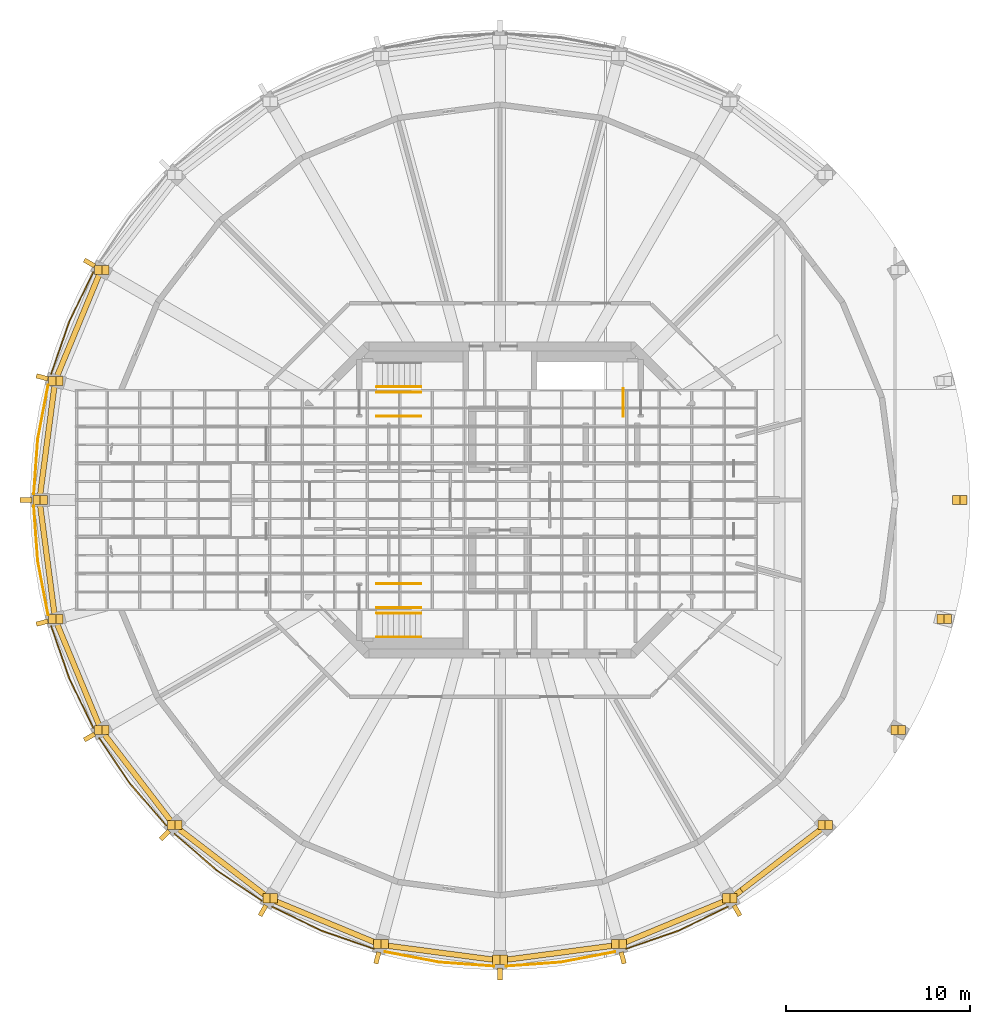
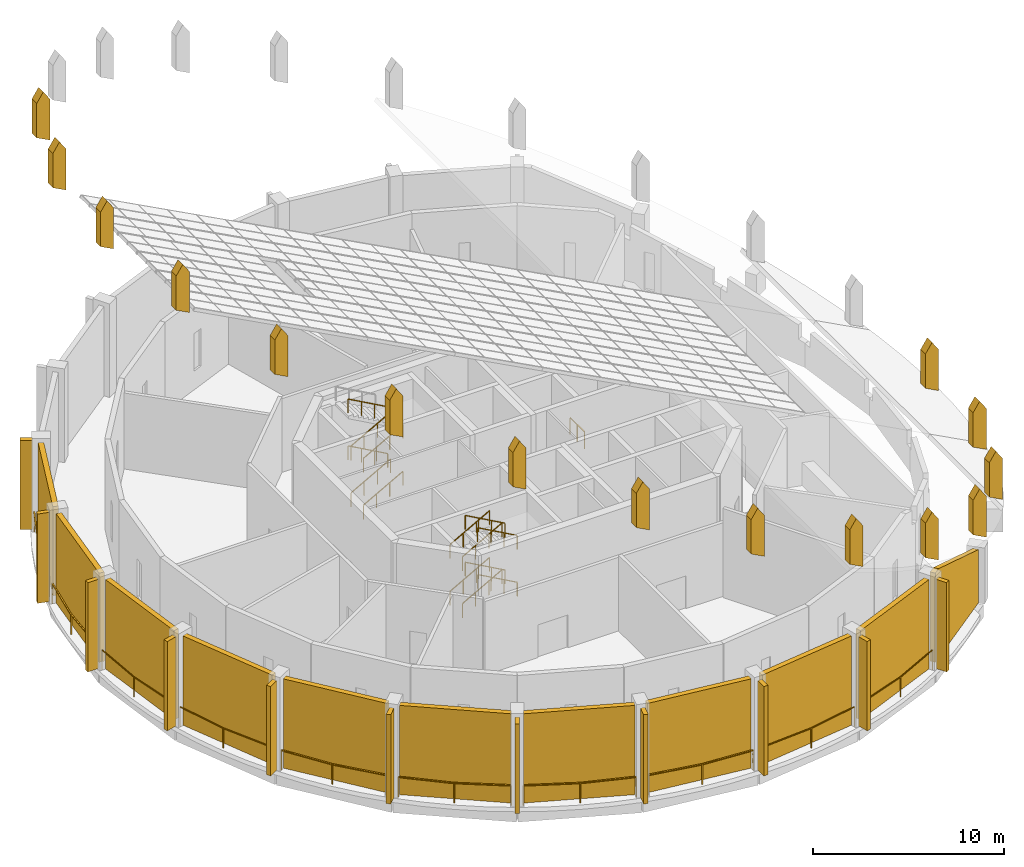
# One storey, part 18 of 19: 26 coverings, 25 railings, 11 shading devices.
"""IFC4 building model written with IfcOpenShell, lengths in metres."""

from ifc_helpers import new_model, si_unit, direction, frame, origin, origin_2d, place, context, subcontext, project, spatial, polyline, rectangle, outline, extrude, material, material_profile, profile_set, type_object, element, save


model = new_model("IFC4")

# Units and contexts
model_context = context("Model", 3, precision=1e-05, world=origin(), true_north=direction((0.0, 1.0)))
body_context = subcontext(model_context, "Body", "Model", "MODEL_VIEW")
ifc_project = project(units=[si_unit("LENGTHUNIT", "METRE"), si_unit("AREAUNIT", "SQUARE_METRE"), si_unit("VOLUMEUNIT", "CUBIC_METRE"), si_unit("PLANEANGLEUNIT", "RADIAN"), si_unit("MASSUNIT", "GRAM", prefix="KILO")], contexts=[model_context])

# Site, building, storey
site_placement = place(None, origin())
site = spatial("IfcSite", under=ifc_project, at=site_placement, CompositionType="ELEMENT")
building_placement = place(site_placement, origin())
building = spatial("IfcBuilding", under=site, at=building_placement, Name="Torre Triforio", CompositionType="ELEMENT")
storey_placement = place(building_placement, frame((0.0, 0.0, 290.800048828125)))
storey = spatial("IfcBuildingStorey", under=building, at=storey_placement, Name="RF-1", CompositionType="ELEMENT", Elevation=290.800048828125)

# Railings
ifc_material_1 = material(Name="Stainless steel AISI 316", Category="steel")
railing_type_1 = type_object("IfcRailingType", Name="GUARD 1100", PredefinedType="GUARDRAIL", material=ifc_material_1)
railing_1_placement = place(storey_placement, frame((6.699951171875, 4.550048828125, 0.0)))
element("IfcRailing", 1, at=railing_1_placement, inside=storey, type_object=railing_type_1, Name="Guard ST2", PredefinedType="GUARDRAIL", context=body_context, shape_type="SweptSolid", body=[
    extrude(rectangle(XDim=0.048095703125, YDim=0.048095703125, at=origin_2d()), frame((0.0, 0.0, 1.076171875), z_axis=(0.0, 1.0, 0.0), x_axis=(-1.0, 0.0, 0.0)), (0.0, 0.0, 1.0), 1.5),
    extrude(rectangle(XDim=0.0419921875, YDim=0.0419921875, at=origin_2d()), origin(), (0.0, 0.0, 1.0), 1.052001953125),
    extrude(rectangle(XDim=0.0419921875, YDim=0.0419921875, at=origin_2d()), frame((0.0, 0.75, 0.0)), (0.0, 0.0, 1.0), 1.052001953125),
    extrude(rectangle(XDim=0.0419921875, YDim=0.0419921875, at=origin_2d()), frame((0.0, 1.5, 0.0)), (0.0, 0.0, 1.0), 1.052001953125),
])
railing_type_2 = type_object("IfcRailingType", Name="HANDRAIL 920", PredefinedType="HANDRAIL", material=ifc_material_1)
for number, where, name in (
    (2, (-6.699951171875, 4.550048828125, 0.16650390625), "Handrail ST1"),
    (3, (-6.699951171875, 5.85009765625, 0.16650390625), "Handrail ST1"),
):
    element("IfcRailing", number, at=place(storey_placement, frame(where)), inside=storey, type_object=railing_type_2, Name=name, PredefinedType="HANDRAIL", context=body_context, shape_type="SweptSolid", body=[
        extrude(rectangle(XDim=0.048095703125, YDim=0.048095703125, at=origin_2d()), frame((0.0, 0.0, 0.89599609375), z_axis=(0.874123717778, 0.0, 0.485703331282), x_axis=(0.0, 1.0, 0.0)), (0.0, 0.0, 1.0), 2.74560546875),
        extrude(rectangle(XDim=0.0419921875, YDim=0.0419921875, at=origin_2d()), origin(), (0.0, 0.0, 1.0), 0.871826171875),
        extrude(rectangle(XDim=0.0419921875, YDim=0.0419921875, at=origin_2d()), frame((0.800048828125, 0.0, 0.444580078125)), (0.0, 0.0, 1.0), 0.871826171875),
        extrude(rectangle(XDim=0.0419921875, YDim=0.0419921875, at=origin_2d()), frame((1.599853515625, 0.0, 0.888916015625)), (0.0, 0.0, 1.0), 0.871826171875),
        extrude(rectangle(XDim=0.0419921875, YDim=0.0419921875, at=origin_2d()), frame((2.39990234375, 0.0, 1.33349609375)), (0.0, 0.0, 1.0), 0.871826171875),
    ])
railing_2_placement = place(storey_placement, frame((-4.300048828125, 6.14990234375, 1.66650390625)))
element("IfcRailing", 4, at=railing_2_placement, inside=storey, type_object=railing_type_2, Name="Handrail ST1", PredefinedType="HANDRAIL", context=body_context, shape_type="SweptSolid", body=[
    extrude(rectangle(XDim=0.048095703125, YDim=0.048095703125, at=origin_2d()), frame((0.0, 0.0, 0.89599609375), z_axis=(-0.874123717778, 0.0, 0.485703331282), x_axis=(0.0, -1.0, 0.0)), (0.0, 0.0, 1.0), 2.74560546875),
    extrude(rectangle(XDim=0.0419921875, YDim=0.0419921875, at=origin_2d()), origin(), (0.0, 0.0, 1.0), 0.871826171875),
    extrude(rectangle(XDim=0.0419921875, YDim=0.0419921875, at=origin_2d()), frame((-0.800048828125, 0.0, 0.444580078125)), (0.0, 0.0, 1.0), 0.871826171875),
    extrude(rectangle(XDim=0.0419921875, YDim=0.0419921875, at=origin_2d()), frame((-1.599853515625, 0.0, 0.888916015625)), (0.0, 0.0, 1.0), 0.871826171875),
    extrude(rectangle(XDim=0.0419921875, YDim=0.0419921875, at=origin_2d()), frame((-2.39990234375, 0.0, 1.33349609375)), (0.0, 0.0, 1.0), 0.871826171875),
])
for number, where, name in (
    (5, (-6.699951171875, 4.550048828125, 3.16650390625), "Handrail ST1"),
    (6, (-6.699951171875, 5.85009765625, 3.16650390625), "Handrail ST1"),
):
    element("IfcRailing", number, at=place(storey_placement, frame(where)), inside=storey, type_object=railing_type_2, Name=name, PredefinedType="HANDRAIL", context=body_context, shape_type="SweptSolid", body=[
        extrude(rectangle(XDim=0.048095703125, YDim=0.048095703125, at=origin_2d()), frame((0.0, 0.0, 0.89599609375), z_axis=(0.874123717778, 0.0, 0.485703331282), x_axis=(0.0, 1.0, 0.0)), (0.0, 0.0, 1.0), 2.74560546875),
        extrude(rectangle(XDim=0.0419921875, YDim=0.0419921875, at=origin_2d()), origin(), (0.0, 0.0, 1.0), 0.871826171875),
        extrude(rectangle(XDim=0.0419921875, YDim=0.0419921875, at=origin_2d()), frame((0.800048828125, 0.0, 0.444580078125)), (0.0, 0.0, 1.0), 0.871826171875),
        extrude(rectangle(XDim=0.0419921875, YDim=0.0419921875, at=origin_2d()), frame((1.599853515625, 0.0, 0.888916015625)), (0.0, 0.0, 1.0), 0.871826171875),
        extrude(rectangle(XDim=0.0419921875, YDim=0.0419921875, at=origin_2d()), frame((2.39990234375, 0.0, 1.33349609375)), (0.0, 0.0, 1.0), 0.871826171875),
    ])
railing_3_placement = place(storey_placement, frame((-4.300048828125, 6.14990234375, 4.66650390625)))
element("IfcRailing", 7, at=railing_3_placement, inside=storey, type_object=railing_type_2, Name="Handrail ST1", PredefinedType="HANDRAIL", context=body_context, shape_type="SweptSolid", body=[
    extrude(rectangle(XDim=0.048095703125, YDim=0.048095703125, at=origin_2d()), frame((0.0, 0.0, 0.89599609375), z_axis=(-0.874123717778, 0.0, 0.485703331282), x_axis=(0.0, -1.0, 0.0)), (0.0, 0.0, 1.0), 2.74560546875),
    extrude(rectangle(XDim=0.0419921875, YDim=0.0419921875, at=origin_2d()), origin(), (0.0, 0.0, 1.0), 0.871826171875),
    extrude(rectangle(XDim=0.0419921875, YDim=0.0419921875, at=origin_2d()), frame((-0.800048828125, 0.0, 0.444580078125)), (0.0, 0.0, 1.0), 0.871826171875),
    extrude(rectangle(XDim=0.0419921875, YDim=0.0419921875, at=origin_2d()), frame((-1.599853515625, 0.0, 0.888916015625)), (0.0, 0.0, 1.0), 0.871826171875),
    extrude(rectangle(XDim=0.0419921875, YDim=0.0419921875, at=origin_2d()), frame((-2.39990234375, 0.0, 1.33349609375)), (0.0, 0.0, 1.0), 0.871826171875),
])
for number, where, name in (
    (8, (-6.699951171875, -4.550048828125, 0.16650390625), "Handrail ST3"),
    (9, (-6.699951171875, -5.85009765625, 0.16650390625), "Handrail ST3"),
):
    element("IfcRailing", number, at=place(storey_placement, frame(where)), inside=storey, type_object=railing_type_2, Name=name, PredefinedType="HANDRAIL", context=body_context, shape_type="SweptSolid", body=[
        extrude(rectangle(XDim=0.048095703125, YDim=0.048095703125, at=origin_2d()), frame((0.0, 0.0, 0.89599609375), z_axis=(0.874123717778, 0.0, 0.485703331282), x_axis=(0.0, 1.0, 0.0)), (0.0, 0.0, 1.0), 2.74560546875),
        extrude(rectangle(XDim=0.0419921875, YDim=0.0419921875, at=origin_2d()), origin(), (0.0, 0.0, 1.0), 0.871826171875),
        extrude(rectangle(XDim=0.0419921875, YDim=0.0419921875, at=origin_2d()), frame((0.800048828125, 0.0, 0.444580078125)), (0.0, 0.0, 1.0), 0.871826171875),
        extrude(rectangle(XDim=0.0419921875, YDim=0.0419921875, at=origin_2d()), frame((1.599853515625, 0.0, 0.888916015625)), (0.0, 0.0, 1.0), 0.871826171875),
        extrude(rectangle(XDim=0.0419921875, YDim=0.0419921875, at=origin_2d()), frame((2.39990234375, 0.0, 1.33349609375)), (0.0, 0.0, 1.0), 0.871826171875),
    ])
for number, where, name in (
    (10, (-4.300048828125, -7.449951171875, 1.66650390625), "Handrail ST3"),
    (11, (-4.300048828125, -6.14990234375, 1.66650390625), "Handrail ST3"),
):
    element("IfcRailing", number, at=place(storey_placement, frame(where)), inside=storey, type_object=railing_type_2, Name=name, PredefinedType="HANDRAIL", context=body_context, shape_type="SweptSolid", body=[
        extrude(rectangle(XDim=0.048095703125, YDim=0.048095703125, at=origin_2d()), frame((0.0, 0.0, 0.89599609375), z_axis=(-0.874123717778, 0.0, 0.485703331282), x_axis=(0.0, -1.0, 0.0)), (0.0, 0.0, 1.0), 2.74560546875),
        extrude(rectangle(XDim=0.0419921875, YDim=0.0419921875, at=origin_2d()), origin(), (0.0, 0.0, 1.0), 0.871826171875),
        extrude(rectangle(XDim=0.0419921875, YDim=0.0419921875, at=origin_2d()), frame((-0.800048828125, 0.0, 0.444580078125)), (0.0, 0.0, 1.0), 0.871826171875),
        extrude(rectangle(XDim=0.0419921875, YDim=0.0419921875, at=origin_2d()), frame((-1.599853515625, 0.0, 0.888916015625)), (0.0, 0.0, 1.0), 0.871826171875),
        extrude(rectangle(XDim=0.0419921875, YDim=0.0419921875, at=origin_2d()), frame((-2.39990234375, 0.0, 1.33349609375)), (0.0, 0.0, 1.0), 0.871826171875),
    ])
for number, where, name in (
    (12, (-6.699951171875, -4.550048828125, 3.16650390625), "Handrail ST3"),
    (13, (-6.699951171875, -5.85009765625, 3.16650390625), "Handrail ST3"),
):
    element("IfcRailing", number, at=place(storey_placement, frame(where)), inside=storey, type_object=railing_type_2, Name=name, PredefinedType="HANDRAIL", context=body_context, shape_type="SweptSolid", body=[
        extrude(rectangle(XDim=0.048095703125, YDim=0.048095703125, at=origin_2d()), frame((0.0, 0.0, 0.89599609375), z_axis=(0.874123717778, 0.0, 0.485703331282), x_axis=(0.0, 1.0, 0.0)), (0.0, 0.0, 1.0), 2.74560546875),
        extrude(rectangle(XDim=0.0419921875, YDim=0.0419921875, at=origin_2d()), origin(), (0.0, 0.0, 1.0), 0.871826171875),
        extrude(rectangle(XDim=0.0419921875, YDim=0.0419921875, at=origin_2d()), frame((0.800048828125, 0.0, 0.444580078125)), (0.0, 0.0, 1.0), 0.871826171875),
        extrude(rectangle(XDim=0.0419921875, YDim=0.0419921875, at=origin_2d()), frame((1.599853515625, 0.0, 0.888916015625)), (0.0, 0.0, 1.0), 0.871826171875),
        extrude(rectangle(XDim=0.0419921875, YDim=0.0419921875, at=origin_2d()), frame((2.39990234375, 0.0, 1.33349609375)), (0.0, 0.0, 1.0), 0.871826171875),
    ])
for number, where, name in (
    (14, (-4.300048828125, -7.449951171875, 4.66650390625), "Handrail ST3"),
    (15, (-4.300048828125, -6.14990234375, 4.66650390625), "Handrail ST3"),
):
    element("IfcRailing", number, at=place(storey_placement, frame(where)), inside=storey, type_object=railing_type_2, Name=name, PredefinedType="HANDRAIL", context=body_context, shape_type="SweptSolid", body=[
        extrude(rectangle(XDim=0.048095703125, YDim=0.048095703125, at=origin_2d()), frame((0.0, 0.0, 0.89599609375), z_axis=(-0.874123717778, 0.0, 0.485703331282), x_axis=(0.0, -1.0, 0.0)), (0.0, 0.0, 1.0), 2.74560546875),
        extrude(rectangle(XDim=0.0419921875, YDim=0.0419921875, at=origin_2d()), origin(), (0.0, 0.0, 1.0), 0.871826171875),
        extrude(rectangle(XDim=0.0419921875, YDim=0.0419921875, at=origin_2d()), frame((-0.800048828125, 0.0, 0.444580078125)), (0.0, 0.0, 1.0), 0.871826171875),
        extrude(rectangle(XDim=0.0419921875, YDim=0.0419921875, at=origin_2d()), frame((-1.599853515625, 0.0, 0.888916015625)), (0.0, 0.0, 1.0), 0.871826171875),
        extrude(rectangle(XDim=0.0419921875, YDim=0.0419921875, at=origin_2d()), frame((-2.39990234375, 0.0, 1.33349609375)), (0.0, 0.0, 1.0), 0.871826171875),
    ])
railing_type_3 = type_object("IfcRailingType", Name="Loggia guard 1300", PredefinedType="GUARDRAIL", material=ifc_material_1)
railing_4_placement = place(storey_placement, frame((-22.11376953125, 12.39794921875, 0.0)))
element("IfcRailing", 16, at=railing_4_placement, inside=storey, type_object=railing_type_3, Name="Loggia guard RF-1 bay 11", PredefinedType="GUARDRAIL", context=body_context, shape_type="SweptSolid", body=[
    extrude(rectangle(XDim=0.050048828125, YDim=0.050048828125, at=origin_2d()), frame((0.0, 0.0, 1.27490234375), z_axis=(-0.43600165335, -0.899945864081, 0.0), x_axis=(0.899945864081, -0.43600165335, 0.0)), (0.0, 0.0, 1.0), 2.996826171875),
    extrude(rectangle(XDim=0.050048828125, YDim=0.050048828125, at=origin_2d()), frame((-1.306640625, -2.697021484375, 1.27490234375), z_axis=(-0.328008659518, -0.944674716123, 0.0), x_axis=(0.944674716123, -0.328008659518, 0.0)), (0.0, 0.0, 1.0), 2.99658203125),
    extrude(rectangle(XDim=0.0400390625, YDim=0.0400390625, at=origin_2d()), origin(), (0.0, 0.0, 1.0), 1.25),
    extrude(rectangle(XDim=0.0400390625, YDim=0.0400390625, at=origin_2d()), frame((-1.306640625, -2.697021484375, 0.0)), (0.0, 0.0, 1.0), 1.25),
    extrude(rectangle(XDim=0.0400390625, YDim=0.0400390625, at=origin_2d()), frame((-2.28955078125, -5.52783203125, 0.0)), (0.0, 0.0, 1.0), 1.25),
])
railing_5_placement = place(storey_placement, frame((-24.569091796875, 6.251953125, 0.0)))
element("IfcRailing", 17, at=railing_5_placement, inside=storey, type_object=railing_type_3, Name="Loggia guard RF-1 bay 12", PredefinedType="GUARDRAIL", context=body_context, shape_type="SweptSolid", body=[
    extrude(rectangle(XDim=0.050048828125, YDim=0.050048828125, at=origin_2d()), frame((0.0, 0.0, 1.27490234375), z_axis=(-0.18819767745, -0.98213116955, 0.0), x_axis=(0.98213116955, -0.18819767745, 0.0)), (0.0, 0.0, 1.0), 2.99658203125),
    extrude(rectangle(XDim=0.050048828125, YDim=0.050048828125, at=origin_2d()), frame((-0.56396484375, -2.943115234375, 1.27490234375), z_axis=(-0.072428129451, -0.997373634133, 0.0), x_axis=(0.997373634133, -0.072428129451, 0.0)), (0.0, 0.0, 1.0), 2.99658203125),
    extrude(rectangle(XDim=0.0400390625, YDim=0.0400390625, at=origin_2d()), origin(), (0.0, 0.0, 1.0), 1.25),
    extrude(rectangle(XDim=0.0400390625, YDim=0.0400390625, at=origin_2d()), frame((-0.56396484375, -2.943115234375, 0.0)), (0.0, 0.0, 1.0), 1.25),
    extrude(rectangle(XDim=0.0400390625, YDim=0.0400390625, at=origin_2d()), frame((-0.781005859375, -5.931884765625, 0.0)), (0.0, 0.0, 1.0), 1.25),
])
railing_6_placement = place(storey_placement, frame((-25.35009765625, -0.320068359375, 0.0)))
element("IfcRailing", 18, at=railing_6_placement, inside=storey, type_object=railing_type_3, Name="Loggia guard RF-1 bay 13", PredefinedType="GUARDRAIL", context=body_context, shape_type="SweptSolid", body=[
    extrude(rectangle(XDim=0.050048828125, YDim=0.050048828125, at=origin_2d()), frame((0.0, 0.0, 1.27490234375), z_axis=(0.072428129451, -0.997373634133, 0.0), x_axis=(0.997373634133, 0.072428129451, 0.0)), (0.0, 0.0, 1.0), 2.99658203125),
    extrude(rectangle(XDim=0.050048828125, YDim=0.050048828125, at=origin_2d()), frame((0.217041015625, -2.98876953125, 1.27490234375), z_axis=(0.18819767745, -0.98213116955, 0.0), x_axis=(0.98213116955, 0.18819767745, 0.0)), (0.0, 0.0, 1.0), 2.99658203125),
    extrude(rectangle(XDim=0.0400390625, YDim=0.0400390625, at=origin_2d()), origin(), (0.0, 0.0, 1.0), 1.25),
    extrude(rectangle(XDim=0.0400390625, YDim=0.0400390625, at=origin_2d()), frame((0.217041015625, -2.98876953125, 0.0)), (0.0, 0.0, 1.0), 1.25),
    extrude(rectangle(XDim=0.0400390625, YDim=0.0400390625, at=origin_2d()), frame((0.781005859375, -5.931884765625, 0.0)), (0.0, 0.0, 1.0), 1.25),
])
railing_7_placement = place(storey_placement, frame((-24.4033203125, -6.8701171875, 0.0)))
element("IfcRailing", 19, at=railing_7_placement, inside=storey, type_object=railing_type_3, Name="Loggia guard RF-1 bay 14", PredefinedType="GUARDRAIL", context=body_context, shape_type="SweptSolid", body=[
    extrude(rectangle(XDim=0.050048828125, YDim=0.050048828125, at=origin_2d()), frame((0.0, 0.0, 1.27490234375), z_axis=(0.328008659518, -0.944674716123, 0.0), x_axis=(0.944674716123, 0.328008659518, 0.0)), (0.0, 0.0, 1.0), 2.99658203125),
    extrude(rectangle(XDim=0.050048828125, YDim=0.050048828125, at=origin_2d()), frame((0.98291015625, -2.830810546875, 1.27490234375), z_axis=(0.43600165335, -0.899945864081, 0.0), x_axis=(0.899945864081, 0.43600165335, 0.0)), (0.0, 0.0, 1.0), 2.996826171875),
    extrude(rectangle(XDim=0.0400390625, YDim=0.0400390625, at=origin_2d()), origin(), (0.0, 0.0, 1.0), 1.25),
    extrude(rectangle(XDim=0.0400390625, YDim=0.0400390625, at=origin_2d()), frame((0.98291015625, -2.830810546875, 0.0)), (0.0, 0.0, 1.0), 1.25),
    extrude(rectangle(XDim=0.0400390625, YDim=0.0400390625, at=origin_2d()), frame((2.28955078125, -5.52783203125, 0.0)), (0.0, 0.0, 1.0), 1.25),
])
railing_8_placement = place(storey_placement, frame((-21.793701171875, -12.9521484375, 0.0)))
element("IfcRailing", 20, at=railing_8_placement, inside=storey, type_object=railing_type_3, Name="Loggia guard RF-1 bay 15", PredefinedType="GUARDRAIL", context=body_context, shape_type="SweptSolid", body=[
    extrude(rectangle(XDim=0.050048828125, YDim=0.050048828125, at=origin_2d()), frame((0.0, 0.0, 1.27490234375), z_axis=(0.561338037643, -0.82758661631, 0.0), x_axis=(0.82758661631, 0.561338037643, 0.0)), (0.0, 0.0, 1.0), 2.99658203125),
    extrude(rectangle(XDim=0.050048828125, YDim=0.050048828125, at=origin_2d()), frame((1.68212890625, -2.47998046875, 1.27490234375), z_axis=(0.65409272915, -0.756414371673, 0.0), x_axis=(0.756414371673, 0.65409272915, 0.0)), (0.0, 0.0, 1.0), 2.996826171875),
    extrude(rectangle(XDim=0.0400390625, YDim=0.0400390625, at=origin_2d()), origin(), (0.0, 0.0, 1.0), 1.25),
    extrude(rectangle(XDim=0.0400390625, YDim=0.0400390625, at=origin_2d()), frame((1.68212890625, -2.47998046875, 0.0)), (0.0, 0.0, 1.0), 1.25),
    extrude(rectangle(XDim=0.0400390625, YDim=0.0400390625, at=origin_2d()), frame((3.642333984375, -4.746826171875, 0.0)), (0.0, 0.0, 1.0), 1.25),
])
railing_9_placement = place(storey_placement, frame((-17.698974609375, -18.1513671875, 0.0)))
element("IfcRailing", 21, at=railing_9_placement, inside=storey, type_object=railing_type_3, Name="Loggia guard RF-1 bay 16", PredefinedType="GUARDRAIL", context=body_context, shape_type="SweptSolid", body=[
    extrude(rectangle(XDim=0.050048828125, YDim=0.050048828125, at=origin_2d()), frame((0.0, 0.0, 1.27490234375), z_axis=(0.756414371673, -0.65409272915, 0.0), x_axis=(0.65409272915, 0.756414371673, 0.0)), (0.0, 0.0, 1.0), 2.996826171875),
    extrude(rectangle(XDim=0.050048828125, YDim=0.050048828125, at=origin_2d()), frame((2.266845703125, -1.960205078125, 1.27490234375), z_axis=(0.82758661631, -0.561338037643, 0.0), x_axis=(0.561338037643, 0.82758661631, 0.0)), (0.0, 0.0, 1.0), 2.99658203125),
    extrude(rectangle(XDim=0.0400390625, YDim=0.0400390625, at=origin_2d()), origin(), (0.0, 0.0, 1.0), 1.25),
    extrude(rectangle(XDim=0.0400390625, YDim=0.0400390625, at=origin_2d()), frame((2.266845703125, -1.960205078125, 0.0)), (0.0, 0.0, 1.0), 1.25),
    extrude(rectangle(XDim=0.0400390625, YDim=0.0400390625, at=origin_2d()), frame((4.746826171875, -3.642333984375, 0.0)), (0.0, 0.0, 1.0), 1.25),
])
railing_10_placement = place(storey_placement, frame((-12.39794921875, -22.11376953125, 0.0)))
element("IfcRailing", 22, at=railing_10_placement, inside=storey, type_object=railing_type_3, Name="Loggia guard RF-1 bay 17", PredefinedType="GUARDRAIL", context=body_context, shape_type="SweptSolid", body=[
    extrude(rectangle(XDim=0.050048828125, YDim=0.050048828125, at=origin_2d()), frame((0.0, 0.0, 1.27490234375), z_axis=(0.899945864081, -0.43600165335, 0.0), x_axis=(0.43600165335, 0.899945864081, 0.0)), (0.0, 0.0, 1.0), 2.996826171875),
    extrude(rectangle(XDim=0.050048828125, YDim=0.050048828125, at=origin_2d()), frame((2.697021484375, -1.306640625, 1.27490234375), z_axis=(0.944674716123, -0.328008659518, 0.0), x_axis=(0.328008659518, 0.944674716123, 0.0)), (0.0, 0.0, 1.0), 2.99658203125),
    extrude(rectangle(XDim=0.0400390625, YDim=0.0400390625, at=origin_2d()), origin(), (0.0, 0.0, 1.0), 1.25),
    extrude(rectangle(XDim=0.0400390625, YDim=0.0400390625, at=origin_2d()), frame((2.697021484375, -1.306640625, 0.0)), (0.0, 0.0, 1.0), 1.25),
    extrude(rectangle(XDim=0.0400390625, YDim=0.0400390625, at=origin_2d()), frame((5.52783203125, -2.28955078125, 0.0)), (0.0, 0.0, 1.0), 1.25),
])
railing_11_placement = place(storey_placement, frame((-6.251953125, -24.569091796875, 0.0)))
element("IfcRailing", 23, at=railing_11_placement, inside=storey, type_object=railing_type_3, Name="Loggia guard RF-1 bay 18", PredefinedType="GUARDRAIL", context=body_context, shape_type="SweptSolid", body=[
    extrude(rectangle(XDim=0.050048828125, YDim=0.050048828125, at=origin_2d()), frame((0.0, 0.0, 1.27490234375), z_axis=(0.98213116955, -0.18819767745, 0.0), x_axis=(0.18819767745, 0.98213116955, 0.0)), (0.0, 0.0, 1.0), 2.99658203125),
    extrude(rectangle(XDim=0.050048828125, YDim=0.050048828125, at=origin_2d()), frame((2.943115234375, -0.56396484375, 1.27490234375), z_axis=(0.997373634133, -0.072428129451, 0.0), x_axis=(0.072428129451, 0.997373634133, 0.0)), (0.0, 0.0, 1.0), 2.99658203125),
    extrude(rectangle(XDim=0.0400390625, YDim=0.0400390625, at=origin_2d()), origin(), (0.0, 0.0, 1.0), 1.25),
    extrude(rectangle(XDim=0.0400390625, YDim=0.0400390625, at=origin_2d()), frame((2.943115234375, -0.56396484375, 0.0)), (0.0, 0.0, 1.0), 1.25),
    extrude(rectangle(XDim=0.0400390625, YDim=0.0400390625, at=origin_2d()), frame((5.931884765625, -0.781005859375, 0.0)), (0.0, 0.0, 1.0), 1.25),
])
railing_12_placement = place(storey_placement, frame((0.320068359375, -25.35009765625, 0.0)))
element("IfcRailing", 24, at=railing_12_placement, inside=storey, type_object=railing_type_3, Name="Loggia guard RF-1 bay 19", PredefinedType="GUARDRAIL", context=body_context, shape_type="SweptSolid", body=[
    extrude(rectangle(XDim=0.050048828125, YDim=0.050048828125, at=origin_2d()), frame((0.0, 0.0, 1.27490234375), z_axis=(0.997373634133, 0.072428129451, 0.0), x_axis=(-0.072428129451, 0.997373634133, 0.0)), (0.0, 0.0, 1.0), 2.99658203125),
    extrude(rectangle(XDim=0.050048828125, YDim=0.050048828125, at=origin_2d()), frame((2.98876953125, 0.217041015625, 1.27490234375), z_axis=(0.98213116955, 0.18819767745, 0.0), x_axis=(-0.18819767745, 0.98213116955, 0.0)), (0.0, 0.0, 1.0), 2.99658203125),
    extrude(rectangle(XDim=0.0400390625, YDim=0.0400390625, at=origin_2d()), origin(), (0.0, 0.0, 1.0), 1.25),
    extrude(rectangle(XDim=0.0400390625, YDim=0.0400390625, at=origin_2d()), frame((2.98876953125, 0.217041015625, 0.0)), (0.0, 0.0, 1.0), 1.25),
    extrude(rectangle(XDim=0.0400390625, YDim=0.0400390625, at=origin_2d()), frame((5.931884765625, 0.781005859375, 0.0)), (0.0, 0.0, 1.0), 1.25),
])
railing_13_placement = place(storey_placement, frame((6.8701171875, -24.4033203125, 0.0)))
element("IfcRailing", 25, at=railing_13_placement, inside=storey, type_object=railing_type_3, Name="Loggia guard RF-1 bay 20", PredefinedType="GUARDRAIL", context=body_context, shape_type="SweptSolid", body=[
    extrude(rectangle(XDim=0.050048828125, YDim=0.050048828125, at=origin_2d()), frame((0.0, 0.0, 1.27490234375), z_axis=(0.944674716123, 0.328008659518, 0.0), x_axis=(-0.328008659518, 0.944674716123, 0.0)), (0.0, 0.0, 1.0), 2.99658203125),
    extrude(rectangle(XDim=0.050048828125, YDim=0.050048828125, at=origin_2d()), frame((2.830810546875, 0.98291015625, 1.27490234375), z_axis=(0.899945864081, 0.43600165335, 0.0), x_axis=(-0.43600165335, 0.899945864081, 0.0)), (0.0, 0.0, 1.0), 2.996826171875),
    extrude(rectangle(XDim=0.0400390625, YDim=0.0400390625, at=origin_2d()), origin(), (0.0, 0.0, 1.0), 1.25),
    extrude(rectangle(XDim=0.0400390625, YDim=0.0400390625, at=origin_2d()), frame((2.830810546875, 0.98291015625, 0.0)), (0.0, 0.0, 1.0), 1.25),
    extrude(rectangle(XDim=0.0400390625, YDim=0.0400390625, at=origin_2d()), frame((5.52783203125, 2.28955078125, 0.0)), (0.0, 0.0, 1.0), 1.25),
])

# Coverings
ifc_material_2 = material(Name="Limestone fin", Category="masonry")
ifc_material_profile_1 = material_profile(ifc_material_2, rectangle(XDim=0.64990234375, YDim=0.25, at=origin_2d()), Name="FIN 650x250")
ifc_profile_set_1 = profile_set([ifc_material_profile_1], Name="Limestone fin")
covering_type_1 = type_object("IfcCoveringType", Name="Stone fin 650 x 250", PredefinedType="CLADDING", material=ifc_profile_set_1)
for number, where, z_axis, x_axis, name in (
    (26, (-22.32177734375, 12.887451171875, 0.0), (0.0, 0.0, 1.0), (-0.866025403784, 0.5, 0.0), "Stone fin C11 RF-1"),
    (27, (-24.896728515625, 6.671142578125, 0.0), (0.0, 0.0, 1.0), (-0.965925826289, 0.258819045103, 0.0), "Stone fin C12 RF-1"),
    (28, (-25.77490234375, 0.0, 0.0), (0.0, 0.0, 1.0), (-1.0, 0.0, 0.0), "Stone fin C13 RF-1"),
    (29, (-24.896728515625, -6.671142578125, 0.0), (0.0, 0.0, 1.0), (-0.965925826289, -0.258819045103, 0.0), "Stone fin C14 RF-1"),
    (30, (-22.32177734375, -12.887451171875, 0.0), (0.0, 0.0, 1.0), (-0.866025403784, -0.5, 0.0), "Stone fin C15 RF-1"),
    (31, (-18.2255859375, -18.2255859375, 0.0), (0.0, 0.0, 1.0), (-0.707106781187, -0.707106781187, 0.0), "Stone fin C16 RF-1"),
    (32, (-12.887451171875, -22.32177734375, 0.0), (0.0, 0.0, 1.0), (-0.5, -0.866025403784, 0.0), "Stone fin C17 RF-1"),
    (33, (-6.671142578125, -24.896728515625, 0.0), (0.0, 0.0, 1.0), (-0.258819045103, -0.965925826289, 0.0), "Stone fin C18 RF-1"),
    (34, (0.0, -25.77490234375, 0.0), (0.0, 0.0, 1.0), (0.0, -1.0, 0.0), "Stone fin C19 RF-1"),
    (35, (6.671142578125, -24.896728515625, 0.0), (0.0, 0.0, 1.0), (0.258819045103, -0.965925826289, 0.0), "Stone fin C20 RF-1"),
    (36, (12.887451171875, -22.32177734375, 0.0), (0.0, 0.0, 1.0), (0.5, -0.866025403784, 0.0), "Stone fin C21 RF-1"),
):
    element("IfcCovering", number, at=place(storey_placement, frame(where, z_axis=z_axis, x_axis=x_axis)), inside=storey, type_object=covering_type_1, Name=name, PredefinedType="CLADDING", context=body_context, shape_type="SweptSolid", body=[
        extrude(rectangle(XDim=0.64990234375, YDim=0.25, at=origin_2d()), origin(), (0.0, 0.0, 1.0), 5.719970703125),
    ])
ifc_material_profile_2 = material_profile(ifc_material_2, outline(polyline([(-0.39990234375, -0.212646484375), (0.39990234375, 0.212646484375), (0.39990234375, 2.41259765625), (0.0, 3.0126953125), (-0.39990234375, 2.41259765625), (-0.39990234375, -0.212646484375)])), Name="FIN PINNACLE 800x500")
ifc_profile_set_2 = profile_set([ifc_material_profile_2], Name="Limestone fin")
covering_type_2 = type_object("IfcCoveringType", Name="Stone fin pinnacle 800 x 500", PredefinedType="CLADDING", material=ifc_profile_set_2)
for number, where, z_axis, x_axis, name in (
    (37, (25.0, -0.25, 0.292236328125), (0.0, 1.0, 0.0), (-1.0, 0.0, 0.0), "Pinnacle C01"),
    (38, (-21.650634765625, 12.25, 25.096923828125), (0.0, 1.0, 0.0), (-1.0, 0.0, 0.0), "Pinnacle C11"),
    (39, (-24.148193359375, 6.220458984375, 26.425048828125), (0.0, 1.0, 0.0), (-1.0, 0.0, 0.0), "Pinnacle C12"),
    (40, (-25.0, -0.25, 26.8779296875), (0.0, 1.0, 0.0), (-1.0, 0.0, 0.0), "Pinnacle C13"),
    (41, (-24.148193359375, -6.720458984375, 26.425048828125), (0.0, 1.0, 0.0), (-1.0, 0.0, 0.0), "Pinnacle C14"),
    (42, (-21.650634765625, -12.75, 25.096923828125), (0.0, 1.0, 0.0), (-1.0, 0.0, 0.0), "Pinnacle C15"),
    (43, (-17.677734375, -17.927734375, 22.984619140625), (0.0, 1.0, 0.0), (-1.0, 0.0, 0.0), "Pinnacle C16"),
    (44, (-12.5, -21.900634765625, 20.2314453125), (0.0, 1.0, 0.0), (-1.0, 0.0, 0.0), "Pinnacle C17"),
    (45, (-6.470458984375, -24.398193359375, 17.025634765625), (0.0, 1.0, 0.0), (-1.0, 0.0, 0.0), "Pinnacle C18"),
    (46, (0.0, -25.25, 13.585205078125), (0.0, 1.0, 0.0), (-1.0, 0.0, 0.0), "Pinnacle C19"),
    (47, (6.470458984375, -24.398193359375, 10.144775390625), (0.0, 1.0, 0.0), (-1.0, 0.0, 0.0), "Pinnacle C20"),
    (48, (12.5, -21.900634765625, 6.938720703125), (0.0, 1.0, 0.0), (-1.0, 0.0, 0.0), "Pinnacle C21"),
    (49, (17.677734375, -17.927734375, 4.185791015625), (0.0, 1.0, 0.0), (-1.0, 0.0, 0.0), "Pinnacle C22"),
    (50, (21.650634765625, -12.75, 2.0732421875), (0.0, 1.0, 0.0), (-1.0, 0.0, 0.0), "Pinnacle C23"),
    (51, (24.148193359375, -6.720458984375, 0.745361328125), (0.0, 1.0, 0.0), (-1.0, 0.0, 0.0), "Pinnacle C24"),
):
    element("IfcCovering", number, at=place(storey_placement, frame(where, z_axis=z_axis, x_axis=x_axis)), inside=storey, type_object=covering_type_2, Name=name, PredefinedType="CLADDING", context=body_context, shape_type="SweptSolid", body=[
        extrude(outline(polyline([(-0.39990234375, -0.212646484375), (0.39990234375, 0.212646484375), (0.39990234375, 2.41259765625), (0.0, 3.0126953125), (-0.39990234375, 2.41259765625), (-0.39990234375, -0.212646484375)])), origin(), (0.0, 0.0, 1.0), 0.5),
    ])

# Shading devices
shading_device_1_placement = place(storey_placement, frame((-21.810546875, 12.222900390625, 0.0), z_axis=(0.0, 0.0, 1.0), x_axis=(-0.382672624084, -0.923884009374, 0.0)))
element("IfcShadingDevice", 52, at=shading_device_1_placement, inside=storey, Name="Crown louvre screen RF-1 bay 11", PredefinedType="JALOUSIE", context=body_context, shape_type="SweptSolid", body=[
    extrude(outline(polyline([(0.0, 0.0), (5.891845703125, 0.0), (5.891845703125, 5.719970703125), (0.0, 5.719970703125), (0.0, 0.0)])), frame((0.0, 0.14990234375, 0.0), z_axis=(0.0, -1.0, 0.0), x_axis=(1.0, 0.0, 0.0)), (0.0, 0.0, 1.0), 0.300048828125),
])
for number, where, z_axis, x_axis, name in (
    (53, (-24.23095703125, 6.161376953125, 0.0), (0.0, 0.0, 1.0), (-0.130529546201, -0.991444419808, 0.0), "Crown louvre screen RF-1 bay 12"),
    (54, (-25.0, -0.320068359375, 0.0), (0.0, 0.0, 1.0), (0.130529546201, -0.991444419808, 0.0), "Crown louvre screen RF-1 bay 13"),
):
    element("IfcShadingDevice", number, at=place(storey_placement, frame(where, z_axis=z_axis, x_axis=x_axis)), inside=storey, Name=name, PredefinedType="JALOUSIE", context=body_context, shape_type="SweptSolid", body=[
        extrude(outline(polyline([(0.0, 0.0), (5.8916015625, 0.0), (5.891845703125, 5.719970703125), (0.0, 5.719970703125), (0.0, 0.0)])), frame((0.0, 0.14990234375, 0.0), z_axis=(0.0, -1.0, 0.0), x_axis=(1.0, 0.0, 0.0)), (0.0, 0.0, 1.0), 0.300048828125),
    ])
for number, where, z_axis, x_axis, name in (
    (55, (-24.065185546875, -6.779541015625, 0.0), (0.0, 0.0, 1.0), (0.382672624084, -0.923884009374, 0.0), "Crown louvre screen RF-1 bay 14"),
    (56, (-21.490478515625, -12.777099609375, 0.0), (0.0, 0.0, 1.0), (0.608755104033, -0.793358193576, 0.0), "Crown louvre screen RF-1 bay 15"),
    (57, (-17.451416015625, -17.90380859375, 0.0), (0.0, 0.0, 1.0), (0.793358193576, -0.608755104033, 0.0), "Crown louvre screen RF-1 bay 16"),
    (58, (-12.222900390625, -21.810546875, 0.0), (0.0, 0.0, 1.0), (0.923884009374, -0.382672624084, 0.0), "Crown louvre screen RF-1 bay 17"),
):
    element("IfcShadingDevice", number, at=place(storey_placement, frame(where, z_axis=z_axis, x_axis=x_axis)), inside=storey, Name=name, PredefinedType="JALOUSIE", context=body_context, shape_type="SweptSolid", body=[
        extrude(outline(polyline([(0.0, 0.0), (5.891845703125, 0.0), (5.891845703125, 5.719970703125), (0.0, 5.719970703125), (0.0, 0.0)])), frame((0.0, 0.14990234375, 0.0), z_axis=(0.0, -1.0, 0.0), x_axis=(1.0, 0.0, 0.0)), (0.0, 0.0, 1.0), 0.300048828125),
    ])
for number, where, z_axis, x_axis, name in (
    (59, (-6.161376953125, -24.23095703125, 0.0), (0.0, 0.0, 1.0), (0.991444419808, -0.130529546201, 0.0), "Crown louvre screen RF-1 bay 18"),
    (60, (0.320068359375, -25.0, 0.0), (0.0, 0.0, 1.0), (0.991444419808, 0.130529546201, 0.0), "Crown louvre screen RF-1 bay 19"),
):
    element("IfcShadingDevice", number, at=place(storey_placement, frame(where, z_axis=z_axis, x_axis=x_axis)), inside=storey, Name=name, PredefinedType="JALOUSIE", context=body_context, shape_type="SweptSolid", body=[
        extrude(outline(polyline([(0.0, 0.0), (5.8916015625, 0.0), (5.891845703125, 5.719970703125), (0.0, 5.719970703125), (0.0, 0.0)])), frame((0.0, 0.14990234375, 0.0), z_axis=(0.0, -1.0, 0.0), x_axis=(1.0, 0.0, 0.0)), (0.0, 0.0, 1.0), 0.300048828125),
    ])
shading_device_2_placement = place(storey_placement, frame((6.779541015625, -24.065185546875, 0.0), z_axis=(0.0, 0.0, 1.0), x_axis=(0.923884009374, 0.382672624084, 0.0)))
element("IfcShadingDevice", 61, at=shading_device_2_placement, inside=storey, Name="Crown louvre screen RF-1 bay 20", PredefinedType="JALOUSIE", context=body_context, shape_type="SweptSolid", body=[
    extrude(outline(polyline([(0.0, 0.0), (5.891845703125, 0.0), (5.891845703125, 5.719970703125), (0.0, 5.719970703125), (0.0, 0.0)])), frame((0.0, 0.14990234375, 0.0), z_axis=(0.0, -1.0, 0.0), x_axis=(1.0, 0.0, 0.0)), (0.0, 0.0, 1.0), 0.300048828125),
])
shading_device_3_placement = place(storey_placement, frame((12.777099609375, -21.490478515625, 0.0), z_axis=(0.0, 0.0, 1.0), x_axis=(0.793358193576, 0.608755104033, 0.0)))
element("IfcShadingDevice", 62, at=shading_device_3_placement, inside=storey, Name="Crown louvre screen RF-1 bay 21", PredefinedType="JALOUSIE", context=body_context, shape_type="SweptSolid", body=[
    extrude(outline(polyline([(0.0, 0.0), (5.891845703125, 0.0), (5.891845703125, 3.42138671875), (0.442626953125, 5.719970703125), (0.0, 5.719970703125), (0.0, 0.0)])), frame((0.0, 0.14990234375, 0.0), z_axis=(0.0, -1.0, 0.0), x_axis=(1.0, 0.0, 0.0)), (0.0, 0.0, 1.0), 0.300048828125),
])

save(model, "model.ifc")
